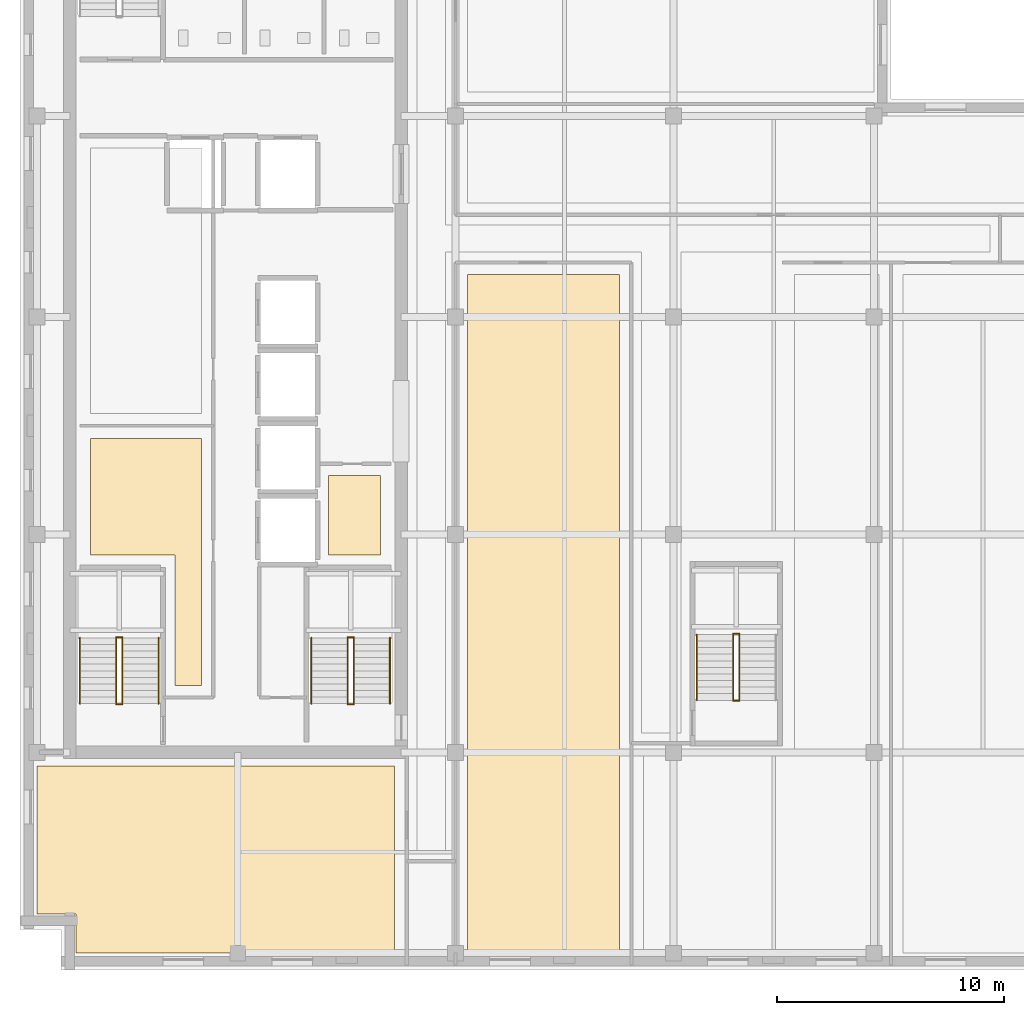
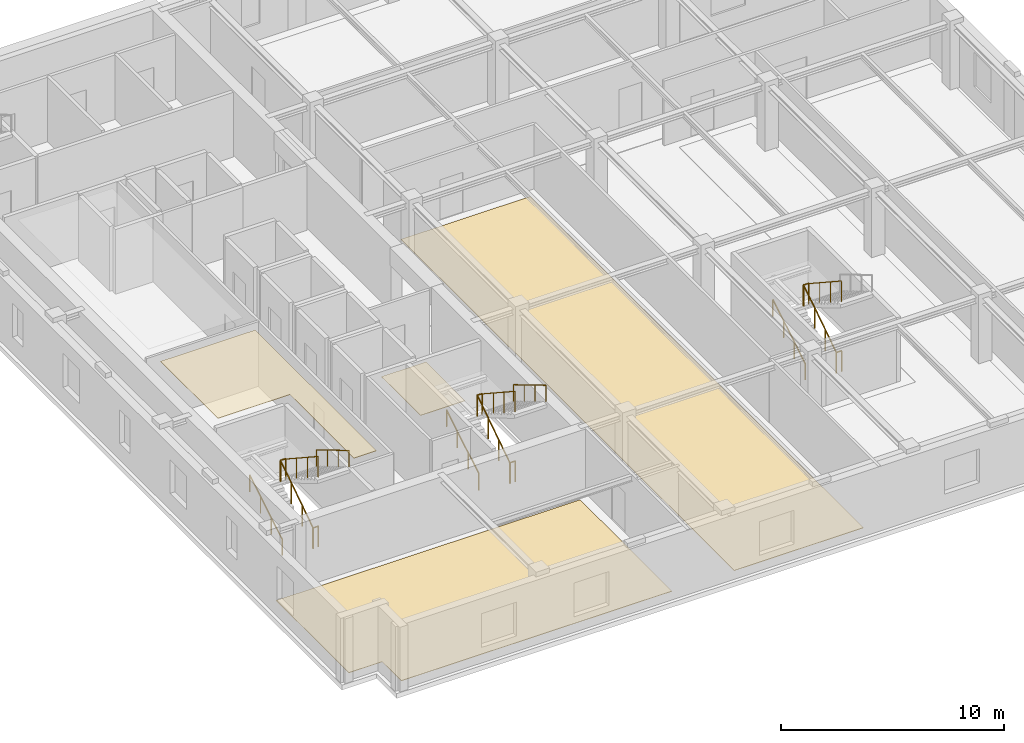
# One storey, part 7 of 11: 17 railings, 4 coverings.
"""IFC4 building model written with IfcOpenShell, lengths in metres."""

import ifcopenshell
import ifcopenshell.guid

model = None  # the IFC model being written
_history = None  # IfcOwnerHistory: only IFC2X3 demands one
_inside = {}  # id of a spatial element -> (the spatial element, [elements in it])
_under = {}  # id of a project, library or spatial element -> (it, [spatial elements below it])
_declared = {}  # id of a project -> (the project, [libraries it declares])
_typed = {}  # id of a type object -> (the type object, [elements of that type])
_made_of = {}  # id of a material, layer set ... -> (it, [elements and type objects made of it])


def new_model(schema):
    """Start an empty IFC model of exactly this schema.

    Asked for "IFC4X3", IfcOpenShell would pick the latest addendum, in which some entities
    have other attributes; the version numbers below select the first issue.
    IFC2X3 requires an IfcOwnerHistory on every rooted entity: one is made here for all.
    """
    global model, _history
    if schema == "IFC4X3":
        model = ifcopenshell.file(schema_version=(4, 3, 0, 0))
    else:
        model = ifcopenshell.file(schema=schema)
    _inside.clear()
    _under.clear()
    _declared.clear()
    _typed.clear()
    _made_of.clear()
    _history = None
    if model.schema == "IFC2X3":
        org = make("IfcOrganization", Name="unknown")
        user = make(
            "IfcPersonAndOrganization",
            ThePerson=make("IfcPerson", FamilyName="unknown"),
            TheOrganization=org,
        )
        app = make(
            "IfcApplication",
            ApplicationDeveloper=org,
            Version="unknown",
            ApplicationFullName="unknown",
            ApplicationIdentifier="unknown",
        )
        _history = make(
            "IfcOwnerHistory",
            OwningUser=user,
            OwningApplication=app,
            ChangeAction="ADDED",
            CreationDate=0,
        )
    return model


def make(cls, **values):
    """One entity of the class cls with the attributes given. An attribute that is None is left unset."""
    return model.create_entity(
        cls, **{name: value for name, value in values.items() if value is not None}
    )


def rooted(cls, **values):
    """An entity with a GlobalId (a new one), such as an element, a storey or a relation."""
    return make(cls, GlobalId=ifcopenshell.guid.new(), OwnerHistory=_history, **values)


def si_unit(unit_type, name, prefix=None):
    """IfcSIUnit, for example si_unit("LENGTHUNIT", "METRE", prefix="MILLI")."""
    return make("IfcSIUnit", UnitType=unit_type, Prefix=prefix, Name=name)


def assignment(units):
    """IfcUnitAssignment: the units of a project."""
    return None if units is None else make("IfcUnitAssignment", Units=units)


def point(xyz):
    """IfcCartesianPoint."""
    return None if xyz is None else make("IfcCartesianPoint", Coordinates=xyz)


def direction(xyz):
    """IfcDirection."""
    return None if xyz is None else make("IfcDirection", DirectionRatios=xyz)


def frame(location, z_axis=None, x_axis=None):
    """IfcAxis2Placement3D, a coordinate frame: its origin and axes. An axis left out is left unset."""
    return make(
        "IfcAxis2Placement3D",
        Location=point(location),
        Axis=direction(z_axis),
        RefDirection=direction(x_axis),
    )


def frame_2d(location, x_axis=None):
    """IfcAxis2Placement2D, a coordinate frame in the plane: its origin and x axis."""
    return make(
        "IfcAxis2Placement2D", Location=point(location), RefDirection=direction(x_axis)
    )


def origin():
    """The frame at (0, 0, 0) with its axes left unset."""
    return frame((0.0, 0.0, 0.0))


def origin_2d():
    """The frame at (0, 0) in the plane with its x axis left unset."""
    return frame_2d((0.0, 0.0))


def place(relative_to, where):
    """IfcLocalPlacement: puts the frame where relative to a parent placement (None: the world)."""
    return make(
        "IfcLocalPlacement", PlacementRelTo=relative_to, RelativePlacement=where
    )


def context(
    kind, dimensions, precision=None, world=None, true_north=None, identifier=None
):
    """IfcGeometricRepresentationContext, for example the 3D "Model" context."""
    return make(
        "IfcGeometricRepresentationContext",
        ContextIdentifier=identifier,
        ContextType=kind,
        CoordinateSpaceDimension=dimensions,
        Precision=precision,
        WorldCoordinateSystem=world,
        TrueNorth=true_north,
    )


def subcontext(parent, identifier, kind, view, scale=None):
    """IfcGeometricRepresentationSubContext, for example "Body" below "Model"."""
    return make(
        "IfcGeometricRepresentationSubContext",
        ContextIdentifier=identifier,
        ContextType=kind,
        ParentContext=parent,
        TargetScale=scale,
        TargetView=view,
    )


def project(units=None, contexts=None):
    """IfcProject with its units and contexts."""
    return rooted(
        "IfcProject",
        Name="project",
        RepresentationContexts=contexts,
        UnitsInContext=assignment(units),
    )


def spatial(cls, under=None, at=None, **own):
    """A site, building, storey or space (cls), placed at a placement, below another one or the project."""
    s = rooted(cls, ObjectPlacement=at, **own)
    if under is not None:
        _under.setdefault(under.id(), (under, []))[1].append(s)
    return s


def polyline(points):
    """IfcPolyline through the points."""
    return make("IfcPolyline", Points=[point(p) for p in points])


def profile(cls, at=None, kind="AREA", **sizes):
    """A parametric profile (cls). Its sizes go by their IFC names, for example OverallWidth=200.0."""
    return make(cls, ProfileType=kind, Position=at, **sizes)


def circle(**sizes):
    """IfcCircleProfileDef."""
    return profile("IfcCircleProfileDef", **sizes)


def outline(outer, holes=None, kind="AREA"):
    """IfcArbitraryClosedProfileDef: a profile drawn as a closed curve; with holes, ...WithVoids."""
    if holes is None:
        return make("IfcArbitraryClosedProfileDef", ProfileType=kind, OuterCurve=outer)
    return make(
        "IfcArbitraryProfileDefWithVoids",
        ProfileType=kind,
        OuterCurve=outer,
        InnerCurves=holes,
    )


def extrude(swept, where, along, depth):
    """IfcExtrudedAreaSolid: the profile swept, set in the frame where, extruded along a direction by depth."""
    return make(
        "IfcExtrudedAreaSolid",
        SweptArea=swept,
        Position=where,
        ExtrudedDirection=direction(along),
        Depth=depth,
    )


def shape(context_of_items, identifier, shape_type, items):
    """IfcShapeRepresentation: the items that make up one representation, for example the "Body"."""
    return make(
        "IfcShapeRepresentation",
        ContextOfItems=context_of_items,
        RepresentationIdentifier=identifier,
        RepresentationType=shape_type,
        Items=items,
    )


def material(Name=None, Category=None):
    """IfcMaterial."""
    return make("IfcMaterial", Name=Name, Category=Category)


def layer(
    of_material, thickness, ventilated=None, Name=None, Category=None, Priority=None
):
    """IfcMaterialLayer: one layer of a wall or slab, of a material (None: an air gap)."""
    return make(
        "IfcMaterialLayer",
        Material=of_material,
        LayerThickness=thickness,
        IsVentilated=ventilated,
        Name=Name,
        Category=Category,
        Priority=Priority,
    )


def layer_set(layers, Name=None):
    """IfcMaterialLayerSet."""
    return make("IfcMaterialLayerSet", MaterialLayers=layers, LayerSetName=Name)


def made_of(thing, what):
    """Note that an element or type object is made of a material, layer set ...; save() writes the relation."""
    if what is not None:
        _made_of.setdefault(what.id(), (what, []))[1].append(thing)
    return thing


def type_object(cls, material=None, **own):
    """A type object (cls), such as IfcWallType, which elements share."""
    return made_of(rooted(cls, **own), material)


def element(
    cls,
    number,
    at=None,
    inside=None,
    cuts=None,
    type_object=None,
    material=None,
    context=None,
    identifier="Body",
    shape_type=None,
    held_by="IfcProductDefinitionShape",
    body=None,
    shapes=None,
    **own,
):
    """One element of the class cls, such as IfcWall. Its Tag is "e" and its number.

    at: its placement. inside: the storey or other place that contains it. cuts: it is an
    opening in that element (IfcRelVoidsElement). A single representation is given by context,
    identifier, shape_type and body (its items); several are given by shapes. held_by: the class
    of the entity that holds the representations. save() writes the other relations.
    """
    e = rooted(cls, Tag="e%d" % number, ObjectPlacement=at, **own)
    if body is not None:
        shapes = [shape(context, identifier, shape_type, body)]
    if shapes is not None:
        e.Representation = make(held_by, Representations=shapes)
    if inside is not None:
        _inside.setdefault(inside.id(), (inside, []))[1].append(e)
    if cuts is not None:
        rooted(
            "IfcRelVoidsElement", RelatingBuildingElement=cuts, RelatedOpeningElement=e
        )
    if type_object is not None:
        _typed.setdefault(type_object.id(), (type_object, []))[1].append(e)
    return made_of(e, material)


def aggregate(whole, parts):
    """IfcRelAggregates: a whole, such as a stair, and the parts it consists of."""
    return rooted("IfcRelAggregates", RelatingObject=whole, RelatedObjects=parts)


def save(model, path):
    """Write the relations noted so far, then the file.

    IfcRelAggregates (storeys below a building ...), IfcRelContainedInSpatialStructure (elements
    in a storey), IfcRelDefinesByType, IfcRelAssociatesMaterial and IfcRelDeclares: one each for
    every whole, place, type object, material and project.
    """
    for whole, parts in _under.values():
        aggregate(whole, parts)
    for where, things in _inside.values():
        rooted(
            "IfcRelContainedInSpatialStructure",
            RelatedElements=things,
            RelatingStructure=where,
        )
    for kind, things in _typed.values():
        rooted("IfcRelDefinesByType", RelatedObjects=things, RelatingType=kind)
    for what, things in _made_of.values():
        rooted("IfcRelAssociatesMaterial", RelatedObjects=things, RelatingMaterial=what)
    for by, libraries in _declared.values():
        rooted("IfcRelDeclares", RelatingContext=by, RelatedDefinitions=libraries)
    model.write(path)


model = new_model("IFC4")

# Units and contexts
model_context = context("Model", 3, precision=1e-05, world=origin(), true_north=direction((0.0, 1.0)))
body_context = subcontext(model_context, "Body", "Model", "MODEL_VIEW")
ifc_project = project(units=[si_unit("LENGTHUNIT", "METRE"), si_unit("AREAUNIT", "SQUARE_METRE"), si_unit("VOLUMEUNIT", "CUBIC_METRE"), si_unit("PLANEANGLEUNIT", "RADIAN"), si_unit("MASSUNIT", "GRAM", prefix="KILO")], contexts=[model_context])

# Site, building, storey
site_placement = place(None, origin())
site = spatial("IfcSite", under=ifc_project, at=site_placement, CompositionType="ELEMENT")
building_placement = place(site_placement, origin())
building = spatial("IfcBuilding", under=site, at=building_placement, Name="Norrvale University Quadrangle", CompositionType="ELEMENT")
storey_placement = place(building_placement, frame((0.0, 0.0, 300.0)))
storey = spatial("IfcBuildingStorey", under=building, at=storey_placement, Name="L76", CompositionType="ELEMENT", Elevation=300.0)

# Coverings
ifc_material_1 = material(Name="Perforated Acoustic Mineral Ceiling")
ifc_layer_1 = layer(ifc_material_1, 0.02490234375, Name="Perforated Acoustic Mineral Ceiling")
ifc_layer_set_1 = layer_set([ifc_layer_1], Name="Perforated Acoustic Mineral Ceiling")
covering_type_1 = type_object("IfcCoveringType", Name="Covering Acoustic Ceiling 25", PredefinedType="CEILING", material=ifc_layer_set_1)
covering_1_placement = place(storey_placement, frame((0.0, 0.0, 3.514892578125)))
element("IfcCovering", 1, at=covering_1_placement, inside=storey, type_object=covering_type_1, Name="Acoustic Ceiling RM-L76-REC1", PredefinedType="CEILING", context=body_context, shape_type="SweptSolid", body=[
    extrude(outline(polyline([(3.10009765625, 18.300048828125), (3.10009765625, 23.449951171875), (8.0, 23.449951171875), (8.0, 12.550048828125), (6.830078125, 12.550048828125), (6.830078125, 18.300048828125), (3.10009765625, 18.300048828125)])), origin(), (0.0, 0.0, 1.0), 0.025146484375),
])
ifc_material_2 = material(Name="Polished Terrazzo Flooring")
ifc_layer_2 = layer(ifc_material_2, 0.02490234375, Name="Polished Terrazzo Flooring")
ifc_layer_set_2 = layer_set([ifc_layer_2], Name="Polished Terrazzo Flooring")
covering_type_2 = type_object("IfcCoveringType", Name="Covering Terrazzo Floor 30", PredefinedType="FLOORING", material=ifc_layer_set_2)
covering_2_placement = place(storey_placement, origin())
element("IfcCovering", 2, at=covering_2_placement, inside=storey, type_object=covering_type_2, Name="Terrazzo Flooring RM-L76-JAN", PredefinedType="FLOORING", context=body_context, shape_type="SweptSolid", body=[
    extrude(outline(polyline([(13.60009765625, 18.300048828125), (13.60009765625, 21.800048828125), (15.89990234375, 21.800048828125), (15.89990234375, 18.300048828125), (13.60009765625, 18.300048828125)])), origin(), (0.0, 0.0, 1.0), 0.02490234375),
])
covering_3_placement = place(storey_placement, origin())
element("IfcCovering", 3, at=covering_3_placement, inside=storey, type_object=covering_type_2, Name="Terrazzo Flooring RM-L76-SW1", PredefinedType="FLOORING", context=body_context, shape_type="SweptSolid", body=[
    extrude(outline(polyline([(0.75, 9.0), (16.5, 9.0), (16.5, 0.75), (2.469970703125, 0.75), (2.469970703125, 2.469970703125), (0.75, 2.469970703125), (0.75, 9.0)])), origin(), (0.0, 0.0, 1.0), 0.02490234375),
])
covering_4_placement = place(storey_placement, origin())
element("IfcCovering", 4, at=covering_4_placement, inside=storey, type_object=covering_type_2, Name="Terrazzo Flooring RM-L76-SE1", PredefinedType="FLOORING", context=body_context, shape_type="SweptSolid", body=[
    extrude(outline(polyline([(19.72998046875, 30.669921875), (26.419921875, 30.669921875), (26.419921875, 0.75), (19.72998046875, 0.75), (19.72998046875, 30.669921875)])), origin(), (0.0, 0.0, 1.0), 0.02490234375),
])

# Railings
ifc_material_3 = material(Name="Steel 350W Painted Balustrade", Category="steel")
railing_type_1 = type_object("IfcRailingType", Name="Railing Stair Guard 1100", PredefinedType="GUARDRAIL", material=ifc_material_3)
for number, where, name in (
    (5, (4.239990234375, 11.719970703125, 0.0), "Stair Floor Well Guard ST-01 L76"),
    (6, (4.239990234375, 14.679931640625, 1.89990234375), "Stair Mid-Landing Slot Guard ST-01 L76"),
):
    element("IfcRailing", number, at=place(storey_placement, frame(where)), inside=storey, type_object=railing_type_1, Name=name, PredefinedType="GUARDRAIL", context=body_context, shape_type="SweptSolid", body=[
        extrude(circle(Radius=0.02392578125, at=origin_2d()), frame((0.0, 0.0, 1.1259765625), z_axis=(1.0, 0.0, 0.0), x_axis=(0.0, 1.0, 0.0)), (0.0, 0.0, 1.0), 0.27001953125),
        extrude(circle(Radius=0.02099609375, at=origin_2d()), origin(), (0.0, 0.0, 1.0), 1.101806640625),
        extrude(circle(Radius=0.02099609375, at=origin_2d()), frame((0.27001953125, 0.0, 0.0)), (0.0, 0.0, 1.0), 1.101806640625),
    ])
railing_1_placement = place(storey_placement, frame((4.239990234375, 11.75, 0.0)))
element("IfcRailing", 7, at=railing_1_placement, inside=storey, type_object=railing_type_1, Name="Stair Lower Flight Inner Guard ST-01 L76", PredefinedType="GUARDRAIL", context=body_context, shape_type="SweptSolid", body=[
    extrude(circle(Radius=0.02392578125, at=origin_2d()), frame((0.0, 0.0, 1.1259765625), z_axis=(0.0, 0.836465582154, 0.548019461216), x_axis=(-1.0, 0.0, 0.0)), (0.0, 0.0, 1.0), 3.466796875),
    extrude(circle(Radius=0.02099609375, at=origin_2d()), origin(), (0.0, 0.0, 1.0), 1.101806640625),
    extrude(circle(Radius=0.02099609375, at=origin_2d()), frame((0.0, 0.966552734375, 0.63330078125)), (0.0, 0.0, 1.0), 1.101806640625),
    extrude(circle(Radius=0.02099609375, at=origin_2d()), frame((0.0, 1.933349609375, 1.2666015625)), (0.0, 0.0, 1.0), 1.101806640625),
    extrude(circle(Radius=0.02099609375, at=origin_2d()), frame((0.0, 2.89990234375, 1.89990234375)), (0.0, 0.0, 1.0), 1.101806640625),
])
railing_2_placement = place(storey_placement, frame((4.510009765625, 14.64990234375, 1.89990234375)))
element("IfcRailing", 8, at=railing_2_placement, inside=storey, type_object=railing_type_1, Name="Stair Upper Flight Inner Guard ST-01 L76", PredefinedType="GUARDRAIL", context=body_context, shape_type="SweptSolid", body=[
    extrude(circle(Radius=0.02392578125, at=origin_2d()), frame((0.0, 0.0, 1.1259765625), z_axis=(0.0, -0.836433300813, 0.548068730445), x_axis=(1.0, 0.0, 0.0)), (0.0, 0.0, 1.0), 3.467041015625),
    extrude(circle(Radius=0.02099609375, at=origin_2d()), origin(), (0.0, 0.0, 1.0), 1.101806640625),
    extrude(circle(Radius=0.02099609375, at=origin_2d()), frame((0.0, -0.966552734375, 0.63330078125)), (0.0, 0.0, 1.0), 1.101806640625),
    extrude(circle(Radius=0.02099609375, at=origin_2d()), frame((0.0, -1.933349609375, 1.266845703125)), (0.0, 0.0, 1.0), 1.101806640625),
    extrude(circle(Radius=0.02099609375, at=origin_2d()), frame((0.0, -2.89990234375, 1.900146484375)), (0.0, 0.0, 1.0), 1.101806640625),
])
for number, where, name in (
    (9, (14.43994140625, 11.719970703125, 0.0), "Stair Floor Well Guard ST-03 L76"),
    (10, (14.43994140625, 14.679931640625, 1.89990234375), "Stair Mid-Landing Slot Guard ST-03 L76"),
):
    element("IfcRailing", number, at=place(storey_placement, frame(where)), inside=storey, type_object=railing_type_1, Name=name, PredefinedType="GUARDRAIL", context=body_context, shape_type="SweptSolid", body=[
        extrude(circle(Radius=0.02392578125, at=origin_2d()), frame((0.0, 0.0, 1.1259765625), z_axis=(1.0, 0.0, 0.0), x_axis=(0.0, 1.0, 0.0)), (0.0, 0.0, 1.0), 0.27001953125),
        extrude(circle(Radius=0.02099609375, at=origin_2d()), origin(), (0.0, 0.0, 1.0), 1.101806640625),
        extrude(circle(Radius=0.02099609375, at=origin_2d()), frame((0.27001953125, 0.0, 0.0)), (0.0, 0.0, 1.0), 1.101806640625),
    ])
railing_3_placement = place(storey_placement, frame((14.43994140625, 11.75, 0.0)))
element("IfcRailing", 11, at=railing_3_placement, inside=storey, type_object=railing_type_1, Name="Stair Lower Flight Inner Guard ST-03 L76", PredefinedType="GUARDRAIL", context=body_context, shape_type="SweptSolid", body=[
    extrude(circle(Radius=0.02392578125, at=origin_2d()), frame((0.0, 0.0, 1.1259765625), z_axis=(0.0, 0.836465582154, 0.548019461216), x_axis=(-1.0, 0.0, 0.0)), (0.0, 0.0, 1.0), 3.466796875),
    extrude(circle(Radius=0.02099609375, at=origin_2d()), origin(), (0.0, 0.0, 1.0), 1.101806640625),
    extrude(circle(Radius=0.02099609375, at=origin_2d()), frame((0.0, 0.966552734375, 0.63330078125)), (0.0, 0.0, 1.0), 1.101806640625),
    extrude(circle(Radius=0.02099609375, at=origin_2d()), frame((0.0, 1.933349609375, 1.2666015625)), (0.0, 0.0, 1.0), 1.101806640625),
    extrude(circle(Radius=0.02099609375, at=origin_2d()), frame((0.0, 2.89990234375, 1.89990234375)), (0.0, 0.0, 1.0), 1.101806640625),
])
railing_4_placement = place(storey_placement, frame((14.7099609375, 14.64990234375, 1.89990234375)))
element("IfcRailing", 12, at=railing_4_placement, inside=storey, type_object=railing_type_1, Name="Stair Upper Flight Inner Guard ST-03 L76", PredefinedType="GUARDRAIL", context=body_context, shape_type="SweptSolid", body=[
    extrude(circle(Radius=0.02392578125, at=origin_2d()), frame((0.0, 0.0, 1.1259765625), z_axis=(0.0, -0.836433300813, 0.548068730445), x_axis=(1.0, 0.0, 0.0)), (0.0, 0.0, 1.0), 3.467041015625),
    extrude(circle(Radius=0.02099609375, at=origin_2d()), origin(), (0.0, 0.0, 1.0), 1.101806640625),
    extrude(circle(Radius=0.02099609375, at=origin_2d()), frame((0.0, -0.966552734375, 0.63330078125)), (0.0, 0.0, 1.0), 1.101806640625),
    extrude(circle(Radius=0.02099609375, at=origin_2d()), frame((0.0, -1.933349609375, 1.266845703125)), (0.0, 0.0, 1.0), 1.101806640625),
    extrude(circle(Radius=0.02099609375, at=origin_2d()), frame((0.0, -2.89990234375, 1.900146484375)), (0.0, 0.0, 1.0), 1.101806640625),
])
for number, where, name in (
    (13, (31.43994140625, 11.8701171875, 0.0), "Stair Floor Well Guard ST-04 L76"),
    (14, (31.43994140625, 14.830078125, 1.89990234375), "Stair Mid-Landing Slot Guard ST-04 L76"),
):
    element("IfcRailing", number, at=place(storey_placement, frame(where)), inside=storey, type_object=railing_type_1, Name=name, PredefinedType="GUARDRAIL", context=body_context, shape_type="SweptSolid", body=[
        extrude(circle(Radius=0.02392578125, at=origin_2d()), frame((0.0, 0.0, 1.1259765625), z_axis=(1.0, 0.0, 0.0), x_axis=(0.0, 1.0, 0.0)), (0.0, 0.0, 1.0), 0.27001953125),
        extrude(circle(Radius=0.02099609375, at=origin_2d()), origin(), (0.0, 0.0, 1.0), 1.101806640625),
        extrude(circle(Radius=0.02099609375, at=origin_2d()), frame((0.27001953125, 0.0, 0.0)), (0.0, 0.0, 1.0), 1.101806640625),
    ])
railing_5_placement = place(storey_placement, frame((31.43994140625, 11.89990234375, 0.0)))
element("IfcRailing", 15, at=railing_5_placement, inside=storey, type_object=railing_type_1, Name="Stair Lower Flight Inner Guard ST-04 L76", PredefinedType="GUARDRAIL", context=body_context, shape_type="SweptSolid", body=[
    extrude(circle(Radius=0.02392578125, at=origin_2d()), frame((0.0, 0.0, 1.1259765625), z_axis=(0.0, 0.836486729621, 0.547987181573), x_axis=(-1.0, 0.0, 0.0)), (0.0, 0.0, 1.0), 3.467041015625),
    extrude(circle(Radius=0.02099609375, at=origin_2d()), origin(), (0.0, 0.0, 1.0), 1.101806640625),
    extrude(circle(Radius=0.02099609375, at=origin_2d()), frame((0.0, 0.966796875, 0.63330078125)), (0.0, 0.0, 1.0), 1.101806640625),
    extrude(circle(Radius=0.02099609375, at=origin_2d()), frame((0.0, 1.933349609375, 1.2666015625)), (0.0, 0.0, 1.0), 1.101806640625),
    extrude(circle(Radius=0.02099609375, at=origin_2d()), frame((0.0, 2.900146484375, 1.89990234375)), (0.0, 0.0, 1.0), 1.101806640625),
])
railing_6_placement = place(storey_placement, frame((31.7099609375, 14.800048828125, 1.89990234375)))
element("IfcRailing", 16, at=railing_6_placement, inside=storey, type_object=railing_type_1, Name="Stair Upper Flight Inner Guard ST-04 L76", PredefinedType="GUARDRAIL", context=body_context, shape_type="SweptSolid", body=[
    extrude(circle(Radius=0.02392578125, at=origin_2d()), frame((0.0, 0.0, 1.1259765625), z_axis=(0.0, -0.836454451266, 0.548036450392), x_axis=(1.0, 0.0, 0.0)), (0.0, 0.0, 1.0), 3.46728515625),
    extrude(circle(Radius=0.02099609375, at=origin_2d()), origin(), (0.0, 0.0, 1.0), 1.101806640625),
    extrude(circle(Radius=0.02099609375, at=origin_2d()), frame((0.0, -0.966796875, 0.63330078125)), (0.0, 0.0, 1.0), 1.101806640625),
    extrude(circle(Radius=0.02099609375, at=origin_2d()), frame((0.0, -1.933349609375, 1.266845703125)), (0.0, 0.0, 1.0), 1.101806640625),
    extrude(circle(Radius=0.02099609375, at=origin_2d()), frame((0.0, -2.900146484375, 1.900146484375)), (0.0, 0.0, 1.0), 1.101806640625),
])
ifc_material_4 = material(Name="Stainless Steel 316L Handrail", Category="steel")
railing_type_2 = type_object("IfcRailingType", Name="Railing Stair Handrail 920", PredefinedType="HANDRAIL", material=ifc_material_4)
railing_7_placement = place(storey_placement, frame((2.639892578125, 11.75, 0.172607421875)))
element("IfcRailing", 17, at=railing_7_placement, inside=storey, type_object=railing_type_2, Name="Stair Lower Flight Handrail ST-01 L76", PredefinedType="HANDRAIL", context=body_context, shape_type="SweptSolid", body=[
    extrude(circle(Radius=0.02392578125, at=origin_2d()), frame((0.0, 0.0, 0.89599609375), z_axis=(0.0, 0.859141464434, 0.511738159696), x_axis=(-1.0, 0.0, 0.0)), (0.0, 0.0, 1.0), 3.375244140625),
    extrude(circle(Radius=0.02099609375, at=origin_2d()), origin(), (0.0, 0.0, 1.0), 0.871826171875),
    extrude(circle(Radius=0.02099609375, at=origin_2d()), frame((0.0, 0.966552734375, 0.57568359375)), (0.0, 0.0, 1.0), 0.871826171875),
    extrude(circle(Radius=0.02099609375, at=origin_2d()), frame((0.0, 1.933349609375, 1.151611328125)), (0.0, 0.0, 1.0), 0.871826171875),
    extrude(circle(Radius=0.02099609375, at=origin_2d()), frame((0.0, 2.89990234375, 1.727294921875)), (0.0, 0.0, 1.0), 0.871826171875),
])
railing_8_placement = place(storey_placement, frame((6.110107421875, 14.64990234375, 2.07275390625)))
element("IfcRailing", 18, at=railing_8_placement, inside=storey, type_object=railing_type_2, Name="Stair Upper Flight Handrail ST-01 L76", PredefinedType="HANDRAIL", context=body_context, shape_type="SweptSolid", body=[
    extrude(circle(Radius=0.02392578125, at=origin_2d()), frame((0.0, 0.0, 0.89599609375), z_axis=(0.0, -0.859141464434, 0.511738159696), x_axis=(1.0, 0.0, 0.0)), (0.0, 0.0, 1.0), 3.375244140625),
    extrude(circle(Radius=0.02099609375, at=origin_2d()), origin(), (0.0, 0.0, 1.0), 0.871826171875),
    extrude(circle(Radius=0.02099609375, at=origin_2d()), frame((0.0, -0.966552734375, 0.57568359375)), (0.0, 0.0, 1.0), 0.871826171875),
    extrude(circle(Radius=0.02099609375, at=origin_2d()), frame((0.0, -1.933349609375, 1.151611328125)), (0.0, 0.0, 1.0), 0.871826171875),
    extrude(circle(Radius=0.02099609375, at=origin_2d()), frame((0.0, -2.89990234375, 1.727294921875)), (0.0, 0.0, 1.0), 0.871826171875),
])
railing_9_placement = place(storey_placement, frame((12.840087890625, 11.75, 0.172607421875)))
element("IfcRailing", 19, at=railing_9_placement, inside=storey, type_object=railing_type_2, Name="Stair Lower Flight Handrail ST-03 L76", PredefinedType="HANDRAIL", context=body_context, shape_type="SweptSolid", body=[
    extrude(circle(Radius=0.02392578125, at=origin_2d()), frame((0.0, 0.0, 0.89599609375), z_axis=(0.0, 0.859141464434, 0.511738159696), x_axis=(-1.0, 0.0, 0.0)), (0.0, 0.0, 1.0), 3.375244140625),
    extrude(circle(Radius=0.02099609375, at=origin_2d()), origin(), (0.0, 0.0, 1.0), 0.871826171875),
    extrude(circle(Radius=0.02099609375, at=origin_2d()), frame((0.0, 0.966552734375, 0.57568359375)), (0.0, 0.0, 1.0), 0.871826171875),
    extrude(circle(Radius=0.02099609375, at=origin_2d()), frame((0.0, 1.933349609375, 1.151611328125)), (0.0, 0.0, 1.0), 0.871826171875),
    extrude(circle(Radius=0.02099609375, at=origin_2d()), frame((0.0, 2.89990234375, 1.727294921875)), (0.0, 0.0, 1.0), 0.871826171875),
])
railing_10_placement = place(storey_placement, frame((16.31005859375, 14.64990234375, 2.07275390625)))
element("IfcRailing", 20, at=railing_10_placement, inside=storey, type_object=railing_type_2, Name="Stair Upper Flight Handrail ST-03 L76", PredefinedType="HANDRAIL", context=body_context, shape_type="SweptSolid", body=[
    extrude(circle(Radius=0.02392578125, at=origin_2d()), frame((0.0, 0.0, 0.89599609375), z_axis=(0.0, -0.859141464434, 0.511738159696), x_axis=(1.0, 0.0, 0.0)), (0.0, 0.0, 1.0), 3.375244140625),
    extrude(circle(Radius=0.02099609375, at=origin_2d()), origin(), (0.0, 0.0, 1.0), 0.871826171875),
    extrude(circle(Radius=0.02099609375, at=origin_2d()), frame((0.0, -0.966552734375, 0.57568359375)), (0.0, 0.0, 1.0), 0.871826171875),
    extrude(circle(Radius=0.02099609375, at=origin_2d()), frame((0.0, -1.933349609375, 1.151611328125)), (0.0, 0.0, 1.0), 0.871826171875),
    extrude(circle(Radius=0.02099609375, at=origin_2d()), frame((0.0, -2.89990234375, 1.727294921875)), (0.0, 0.0, 1.0), 0.871826171875),
])
railing_11_placement = place(storey_placement, frame((29.840087890625, 11.89990234375, 0.172607421875)))
element("IfcRailing", 21, at=railing_11_placement, inside=storey, type_object=railing_type_2, Name="Stair Lower Flight Handrail ST-04 L76", PredefinedType="HANDRAIL", context=body_context, shape_type="SweptSolid", body=[
    extrude(circle(Radius=0.02392578125, at=origin_2d()), frame((0.0, 0.0, 0.89599609375), z_axis=(0.0, 0.859160404282, 0.51170636083), x_axis=(-1.0, 0.0, 0.0)), (0.0, 0.0, 1.0), 3.37548828125),
    extrude(circle(Radius=0.02099609375, at=origin_2d()), origin(), (0.0, 0.0, 1.0), 0.871826171875),
    extrude(circle(Radius=0.02099609375, at=origin_2d()), frame((0.0, 0.966796875, 0.57568359375)), (0.0, 0.0, 1.0), 0.871826171875),
    extrude(circle(Radius=0.02099609375, at=origin_2d()), frame((0.0, 1.933349609375, 1.151611328125)), (0.0, 0.0, 1.0), 0.871826171875),
    extrude(circle(Radius=0.02099609375, at=origin_2d()), frame((0.0, 2.900146484375, 1.727294921875)), (0.0, 0.0, 1.0), 0.871826171875),
])

save(model, "model.ifc")
